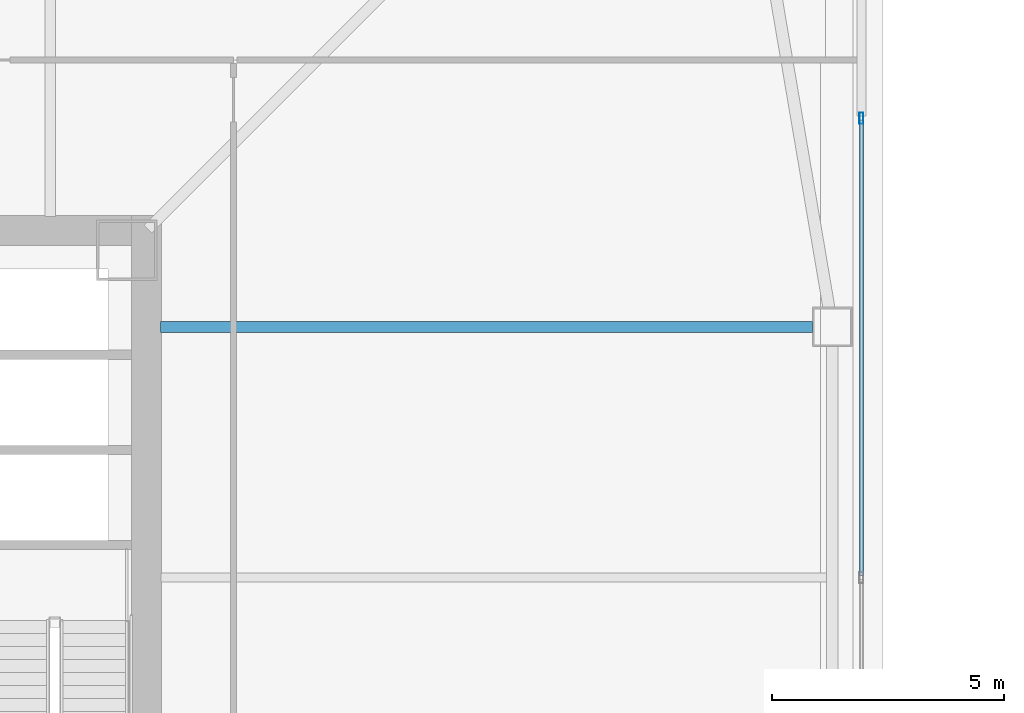
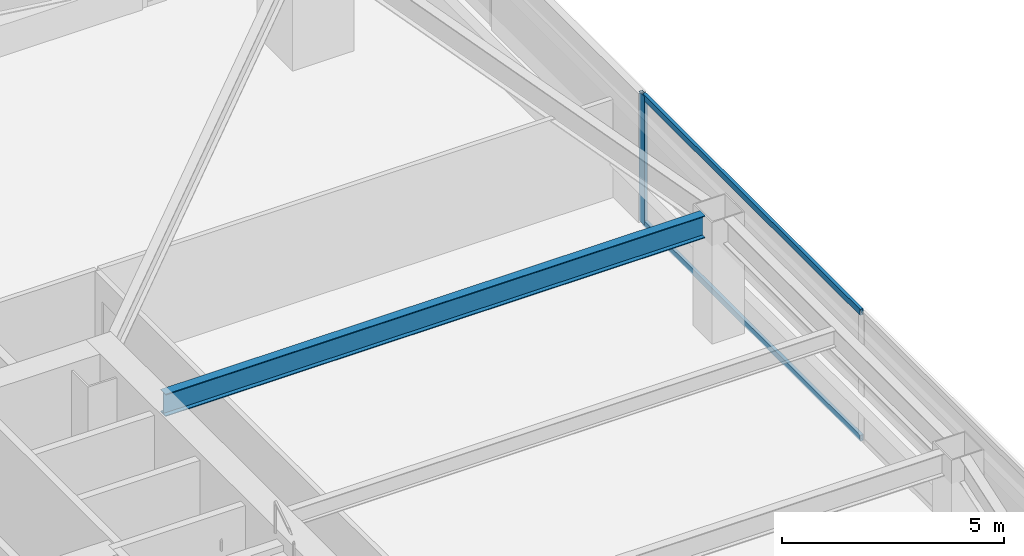
# One storey, part 17 of 48: 3 members, 1 beam, 1 element without a shape of its own.
"""IFC4 building model written with IfcOpenShell, lengths in metres."""

from ifc_helpers import new_model, si_unit, direction, frame, origin, origin_2d, place, context, subcontext, project, spatial, hollow_rectangle, i_section, extrude, material, material_profile, profile_set, type_object, element, aggregate, save


model = new_model("IFC4")

# Units and contexts
model_context = context("Model", 3, precision=1e-05, world=origin(), true_north=direction((0.0, 1.0)))
body_context = subcontext(model_context, "Body", "Model", "MODEL_VIEW")
ifc_project = project(units=[si_unit("LENGTHUNIT", "METRE"), si_unit("AREAUNIT", "SQUARE_METRE"), si_unit("VOLUMEUNIT", "CUBIC_METRE"), si_unit("PLANEANGLEUNIT", "RADIAN"), si_unit("MASSUNIT", "GRAM", prefix="KILO")], contexts=[model_context])

# Site, building, storey
site_placement = place(None, origin())
site = spatial("IfcSite", under=ifc_project, at=site_placement, CompositionType="ELEMENT")
building_placement = place(site_placement, origin())
building = spatial("IfcBuilding", under=site, at=building_placement, Name="Tashvorn Skyway Center", CompositionType="ELEMENT")
storey_placement = place(building_placement, frame((0.0, 0.0, 53.0)))
storey = spatial("IfcBuildingStorey", under=building, at=storey_placement, Name="L13", CompositionType="ELEMENT", Elevation=53.0)

# Beam
ifc_material_1 = material(Name="Steel ASTM A992 Grade 50", Category="steel")
ifc_material_profile_1 = material_profile(ifc_material_1, i_section(OverallWidth=0.22998046875, OverallDepth=0.616943359375, WebThickness=0.01318359375, FlangeThickness=0.022216796875, at=origin_2d()), Name="W24X94")
ifc_profile_set_1 = profile_set([ifc_material_profile_1], Name="Steel ASTM A992 Grade 50")
beam_type = type_object("IfcBeamType", Name="BM-BEAM-W24X94", PredefinedType="BEAM", material=ifc_profile_set_1)
beam_placement = place(storey_placement, frame((63.830078125, 37.39990234375, 3.04150390625), z_axis=(-1.0, 0.0, 0.0), x_axis=(0.0, -1.0, 0.0)))
element("IfcBeam", 1, at=beam_placement, inside=storey, type_object=beam_type, Name="Tower 1 L13 Primary Floor Girder FC-E2", PredefinedType="BEAM", context=body_context, shape_type="SweptSolid", body=[
    extrude(i_section(OverallWidth=0.22998046875, OverallDepth=0.616943359375, WebThickness=0.01318359375, FlangeThickness=0.022216796875, at=origin_2d()), origin(), (0.0, 0.0, 1.0), 14.050048828125),
])

# Curtain wall, members
ifc_material_2 = material(Name="Thermally broken bronze-anodized aluminium 6063-T6", Category="aluminium")
curtain_wall_type = type_object("IfcCurtainWallType", Name="CW-CW-Z1", PredefinedType="NOTDEFINED", material=ifc_material_2)
curtain_wall_placement = place(storey_placement, origin())
curtain_wall = element("IfcCurtainWall", 2, at=curtain_wall_placement, inside=storey, type_object=curtain_wall_type, Name="Tower 1 L13 East Unitised Curtain Wall Glazing Group 2", PredefinedType="NOTDEFINED")
ifc_material_profile_2 = material_profile(ifc_material_2, hollow_rectangle(XDim=0.0849609375, YDim=0.239990234375, WallThickness=0.0048828125, at=origin_2d()), Name="ALU-MULL-85x240")
ifc_profile_set_2 = profile_set([ifc_material_profile_2], Name="Thermally broken bronze-anodized aluminium 6063-T6")
member_type_1 = type_object("IfcMemberType", Name="CWM-CW-Z1", PredefinedType="MULLION", material=ifc_profile_set_2)
member_1_placement = place(storey_placement, frame((64.8798828125, 41.8974609375, 0.0), z_axis=(0.0, 0.0, 1.0), x_axis=(1.0, 0.0, 0.0)))
member_1 = element("IfcMember", 3, at=member_1_placement, type_object=member_type_1, Name="CW-Z1 mullion 1", PredefinedType="MULLION", context=body_context, shape_type="SweptSolid", body=[
    extrude(hollow_rectangle(XDim=0.0849609375, YDim=0.239990234375, WallThickness=0.0048828125, at=origin_2d()), origin(), (0.0, 0.0, 1.0), 3.550048828125),
])
ifc_material_profile_3 = material_profile(ifc_material_2, hollow_rectangle(XDim=0.0849609375, YDim=0.1650390625, WallThickness=0.0048828125, at=origin_2d()), Name="ALU-TRAN-85x165")
ifc_profile_set_3 = profile_set([ifc_material_profile_3], Name="Thermally broken bronze-anodized aluminium 6063-T6")
member_type_2 = type_object("IfcMemberType", Name="CWT-CW-Z1", PredefinedType="USERDEFINED", material=ifc_profile_set_3)
member_2_placement = place(storey_placement, frame((64.8798828125, 41.85498046875, 0.04248046875), z_axis=(0.0, -1.0, 0.0), x_axis=(1.0, 0.0, 0.0)))
member_2 = element("IfcMember", 4, at=member_2_placement, type_object=member_type_2, Name="CW-Z1 transom 1.1", ObjectType="TRANSOM", PredefinedType="USERDEFINED", context=body_context, shape_type="SweptSolid", body=[
    extrude(hollow_rectangle(XDim=0.0849609375, YDim=0.1650390625, WallThickness=0.0048828125, at=origin_2d()), origin(), (0.0, 0.0, 1.0), 9.8125),
])
member_3_placement = place(storey_placement, frame((64.8798828125, 41.85498046875, 3.507568359375), z_axis=(0.0, -1.0, 0.0), x_axis=(1.0, 0.0, 0.0)))
member_3 = element("IfcMember", 5, at=member_3_placement, type_object=member_type_2, Name="CW-Z1 transom 1.2", ObjectType="TRANSOM", PredefinedType="USERDEFINED", context=body_context, shape_type="SweptSolid", body=[
    extrude(hollow_rectangle(XDim=0.0849609375, YDim=0.1650390625, WallThickness=0.0048828125, at=origin_2d()), origin(), (0.0, 0.0, 1.0), 9.8125),
])
aggregate(curtain_wall, [member_1, member_2, member_3])

save(model, "model.ifc")
